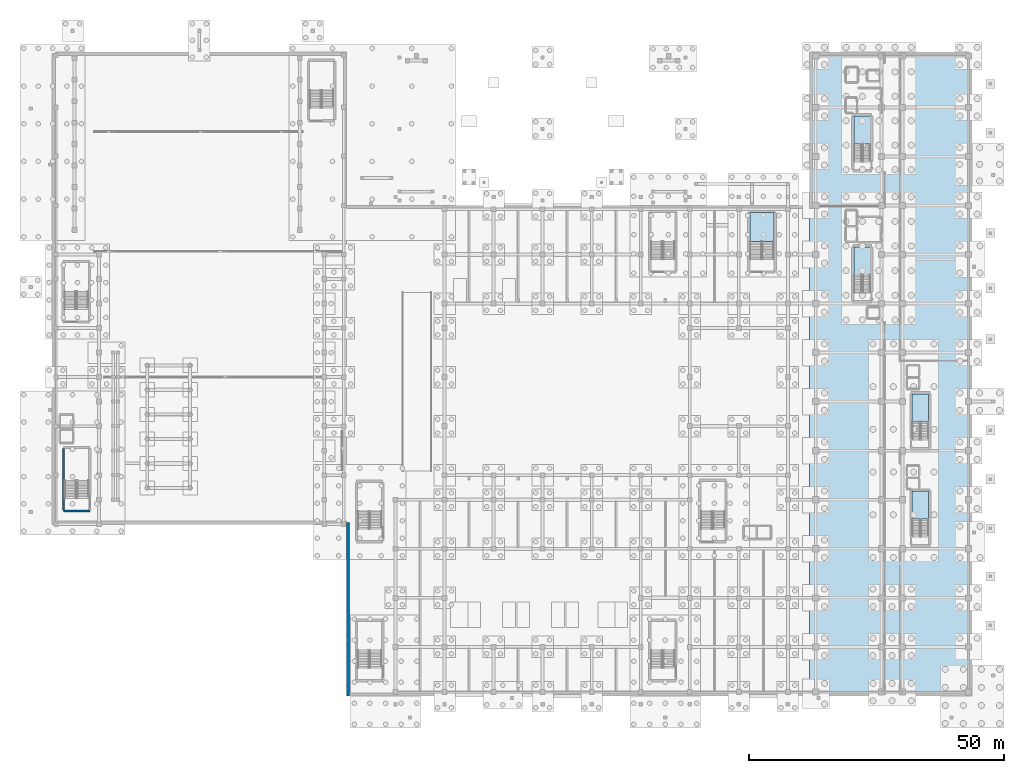
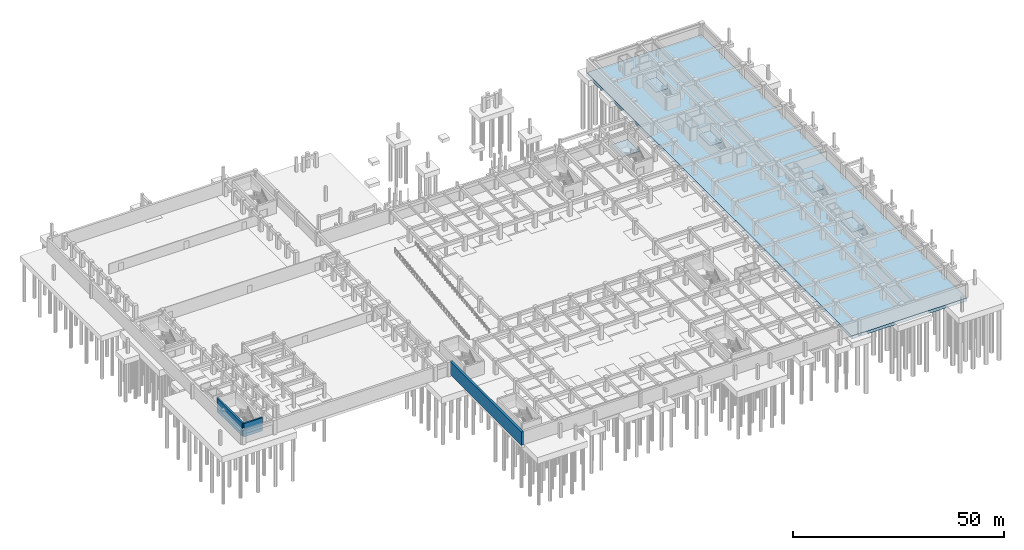
# One storey, part 15 of 39: 6 slabs, 3 walls, 5 elements without a shape of their own.
"""IFC4 building model written with IfcOpenShell, lengths in metres."""

from ifc_helpers import new_model, si_unit, direction, frame, frame_2d, origin, place, context, subcontext, project, spatial, polyline, rectangle, outline, extrude, material, layer, layer_set, type_object, element, aggregate, save


model = new_model("IFC4")

# Units and contexts
model_context = context("Model", 3, precision=1e-05, world=origin(), true_north=direction((0.0, 1.0)))
body_context = subcontext(model_context, "Body", "Model", "MODEL_VIEW")
ifc_project = project(units=[si_unit("LENGTHUNIT", "METRE"), si_unit("AREAUNIT", "SQUARE_METRE"), si_unit("VOLUMEUNIT", "CUBIC_METRE"), si_unit("PLANEANGLEUNIT", "RADIAN"), si_unit("MASSUNIT", "GRAM", prefix="KILO")], contexts=[model_context])

# Site, building, storey
site_placement = place(None, origin())
site = spatial("IfcSite", under=ifc_project, at=site_placement, CompositionType="ELEMENT")
building_placement = place(site_placement, origin())
building = spatial("IfcBuilding", under=site, at=building_placement, Name="Nakhvara Creek Congress Hotel", CompositionType="ELEMENT")
storey_placement = place(building_placement, frame((0.0, 0.0, -8.39990234375)))
storey = spatial("IfcBuildingStorey", under=building, at=storey_placement, Name="B2", CompositionType="ELEMENT", Elevation=-8.39990234375)

# Slab
ifc_material_1 = material(Name="Concrete C40/50", Category="concrete")
ifc_layer_1 = layer(ifc_material_1, 0.89990234375)
ifc_layer_set_1 = layer_set([ifc_layer_1], Name="Concrete C40/50")
slab_type_1 = type_object("IfcSlabType", Name="SL-BASE-900", PredefinedType="BASESLAB", material=ifc_layer_set_1)
slab_1_placement = place(storey_placement, frame((0.0, 0.0, -0.900146484375)))
element("IfcSlab", 1, at=slab_1_placement, inside=storey, type_object=slab_type_1, Name="Structural Slab SLB-B2-V5", PredefinedType="BASESLAB", context=body_context, shape_type="SweptSolid", body=[
    extrude(outline(polyline([(148.199951171875, 0.0), (179.75, 0.0), (179.75, 126.0), (148.199951171875, 126.0), (148.199951171875, 0.0)])), origin(), (0.0, 0.0, 1.0), 0.900146484375),
])

# Stair, slab
stair_type_1 = type_object("IfcStairType", Name="ST-CORE-160", PredefinedType="HALF_TURN_STAIR", material=ifc_material_1)
stair_1_placement = place(storey_placement, origin())
stair_1 = element("IfcStair", 2, at=stair_1_placement, inside=storey, type_object=stair_type_1, Name="B2 Protected Exit Stair ST01", PredefinedType="HALF_TURN_STAIR")
ifc_layer_2 = layer(ifc_material_1, 0.199951171875)
ifc_layer_set_2 = layer_set([ifc_layer_2], Name="Concrete C40/50")
slab_type_2 = type_object("IfcSlabType", Name="SL-LAND-200", PredefinedType="LANDING", material=ifc_layer_set_2)
slab_2_placement = place(storey_placement, frame((0.0, 0.0, 1.89990234375)))
slab_2 = element("IfcSlab", 3, at=slab_2_placement, type_object=slab_type_2, Name="ST01 landing 1", PredefinedType="LANDING", context=body_context, shape_type="SweptSolid", body=[
    extrude(outline(polyline([(160.14990234375, 82.405029296875), (160.14990234375, 87.89990234375), (156.919921875, 87.89990234375), (156.919921875, 82.405029296875), (160.14990234375, 82.405029296875)])), origin(), (0.0, 0.0, 1.0), 0.199951171875),
])
aggregate(stair_1, [slab_2])

stair_2_placement = place(storey_placement, origin())
stair_2 = element("IfcStair", 4, at=stair_2_placement, inside=storey, type_object=stair_type_1, Name="B2 Protected Exit Stair ST02", PredefinedType="HALF_TURN_STAIR")
slab_3_placement = place(storey_placement, frame((0.0, 0.0, 1.89990234375)))
slab_3 = element("IfcSlab", 5, at=slab_3_placement, type_object=slab_type_2, Name="ST02 landing 1", PredefinedType="LANDING", context=body_context, shape_type="SweptSolid", body=[
    extrude(outline(polyline([(160.14990234375, 108.0048828125), (160.14990234375, 113.5), (156.919921875, 113.5), (156.919921875, 108.0048828125), (160.14990234375, 108.0048828125)])), origin(), (0.0, 0.0, 1.0), 0.199951171875),
])
aggregate(stair_2, [slab_3])

stair_3_placement = place(storey_placement, origin())
stair_3 = element("IfcStair", 6, at=stair_3_placement, inside=storey, type_object=stair_type_1, Name="B2 Protected Exit Stair ST03", PredefinedType="HALF_TURN_STAIR")
slab_4_placement = place(storey_placement, frame((0.0, 0.0, 1.89990234375)))
slab_4 = element("IfcSlab", 7, at=slab_4_placement, type_object=slab_type_2, Name="ST03 landing 1", PredefinedType="LANDING", context=body_context, shape_type="SweptSolid", body=[
    extrude(outline(polyline([(171.550048828125, 34.60498046875), (171.550048828125, 40.10009765625), (168.320068359375, 40.10009765625), (168.320068359375, 34.60498046875), (171.550048828125, 34.60498046875)])), origin(), (0.0, 0.0, 1.0), 0.199951171875),
])
aggregate(stair_3, [slab_4])

stair_4_placement = place(storey_placement, origin())
stair_4 = element("IfcStair", 8, at=stair_4_placement, inside=storey, type_object=stair_type_1, Name="B2 Protected Exit Stair ST04", PredefinedType="HALF_TURN_STAIR")
slab_5_placement = place(storey_placement, frame((0.0, 0.0, 1.89990234375)))
slab_5 = element("IfcSlab", 9, at=slab_5_placement, type_object=slab_type_2, Name="ST04 landing 1", PredefinedType="LANDING", context=body_context, shape_type="SweptSolid", body=[
    extrude(outline(polyline([(171.550048828125, 53.60498046875), (171.550048828125, 59.10009765625), (168.320068359375, 59.10009765625), (168.320068359375, 53.60498046875), (171.550048828125, 53.60498046875)])), origin(), (0.0, 0.0, 1.0), 0.199951171875),
])
aggregate(stair_4, [slab_5])

stair_type_2 = type_object("IfcStairType", Name="ST-CORE-230", PredefinedType="HALF_TURN_STAIR", material=ifc_material_1)
stair_5_placement = place(storey_placement, origin())
stair_5 = element("IfcStair", 10, at=stair_5_placement, inside=storey, type_object=stair_type_2, Name="B2 Protected Exit Stair ST10", PredefinedType="HALF_TURN_STAIR")
slab_6_placement = place(storey_placement, frame((0.0, 0.0, 1.89990234375)))
slab_6 = element("IfcSlab", 11, at=slab_6_placement, type_object=slab_type_2, Name="ST10 landing 1", PredefinedType="LANDING", context=body_context, shape_type="SweptSolid", body=[
    extrude(outline(polyline([(141.280029296875, 88.945068359375), (141.280029296875, 94.60009765625), (136.570068359375, 94.60009765625), (136.570068359375, 88.945068359375), (141.280029296875, 88.945068359375)])), origin(), (0.0, 0.0, 1.0), 0.199951171875),
])
aggregate(stair_5, [slab_6])

# Walls
ifc_material_2 = material(Name="Concrete C50/60", Category="concrete")
ifc_layer_3 = layer(ifc_material_2, 0.449951171875)
ifc_layer_set_3 = layer_set([ifc_layer_3], Name="Concrete C50/60")
wall_type_1 = type_object("IfcWallType", Name="W-CORE-450", PredefinedType="SHEAR", material=ifc_layer_set_3)
wall_1_placement = place(storey_placement, frame((2.22998046875, 36.179931640625, 0.0), z_axis=(0.0, 0.0, 1.0), x_axis=(1.0, 0.0, 0.0)))
element("IfcWall", 12, at=wall_1_placement, inside=storey, type_object=wall_type_1, Name="Core Shear Wall WS02-CWALL-B2-0709", PredefinedType="SHEAR", context=body_context, shape_type="SweptSolid", body=[
    extrude(rectangle(XDim=5.14990234375, YDim=0.449951171875, at=frame_2d((2.574951171875, 0.0))), origin(), (0.0, 0.0, 1.0), 3.85986328125),
])
wall_2_placement = place(storey_placement, frame((2.22998046875, 36.39990234375, 0.0), z_axis=(0.0, 0.0, 1.0), x_axis=(0.0, 1.0, 0.0)))
element("IfcWall", 13, at=wall_2_placement, inside=storey, type_object=wall_type_1, Name="Core Shear Wall WS02-CWALL-B2-0711", PredefinedType="SHEAR", context=body_context, shape_type="SweptSolid", body=[
    extrude(rectangle(XDim=12.0, YDim=0.449951171875, at=frame_2d((6.0, 0.0))), origin(), (0.0, 0.0, 1.0), 3.85986328125),
])
ifc_layer_4 = layer(ifc_material_1, 0.60009765625)
ifc_layer_set_4 = layer_set([ifc_layer_4], Name="Concrete C40/50")
wall_type_2 = type_object("IfcWallType", Name="W-RET-600", PredefinedType="USERDEFINED", material=ifc_layer_set_4)
wall_3_placement = place(storey_placement, frame((57.89990234375, 0.0, 0.0), z_axis=(0.0, 0.0, 1.0), x_axis=(0.0, 1.0, 0.0)))
element("IfcWall", 14, at=wall_3_placement, inside=storey, type_object=wall_type_2, Name="Exterior Wall WR01-EW-B2-0009", ObjectType="RETAININGWALL", PredefinedType="USERDEFINED", context=body_context, shape_type="SweptSolid", body=[
    extrude(rectangle(XDim=33.89990234375, YDim=0.60009765625, at=frame_2d((16.949951171875, 0.0))), origin(), (0.0, 0.0, 1.0), 3.85986328125),
])

save(model, "model.ifc")
